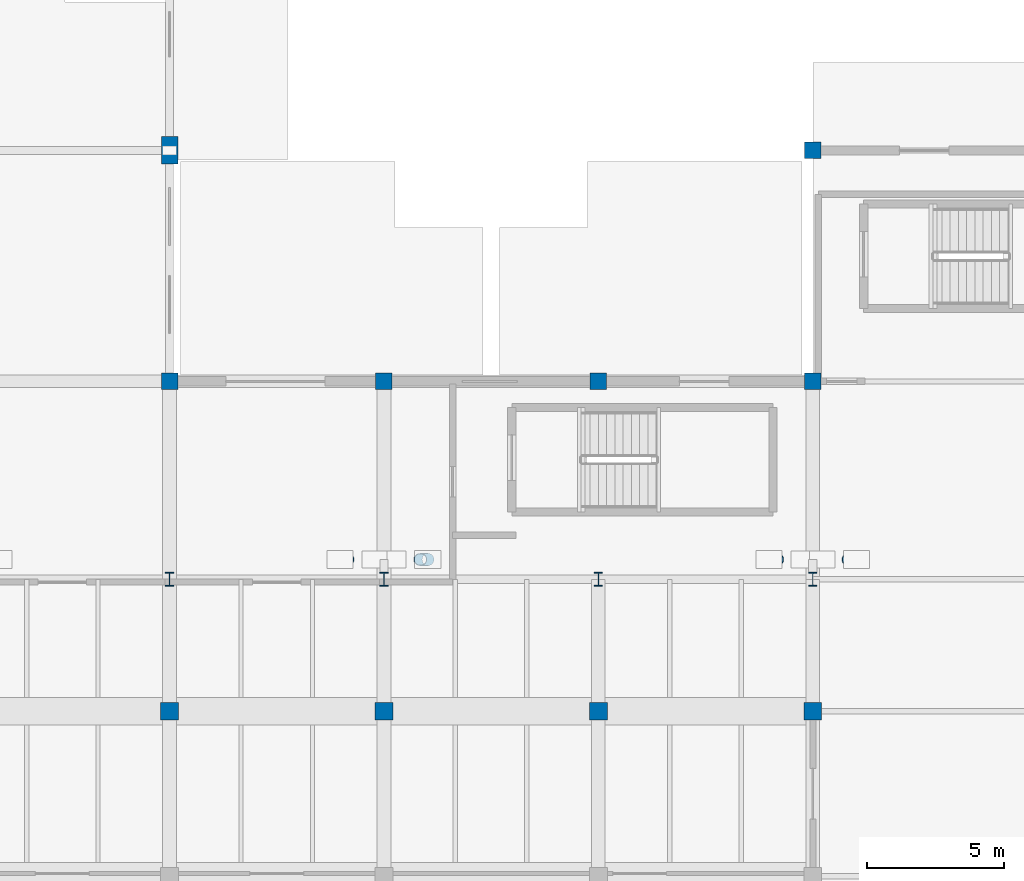
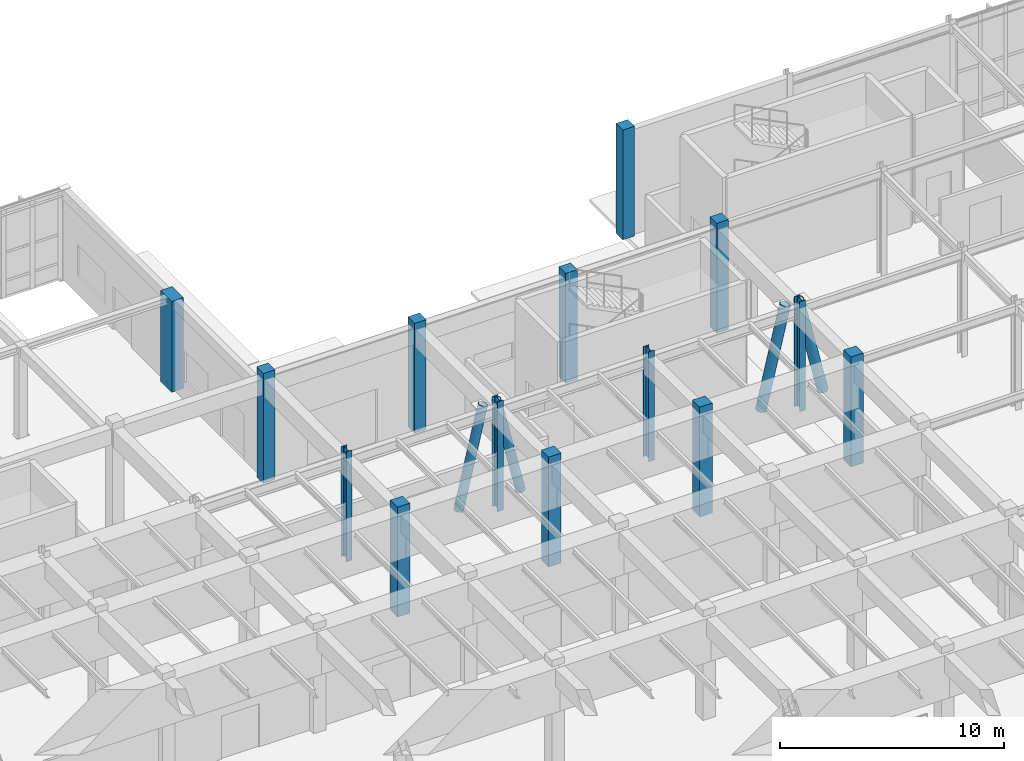
# One storey, part 9 of 110: 18 columns.
"""IFC4 building model written with IfcOpenShell, lengths in metres."""

from ifc_helpers import new_model, si_unit, direction, frame, origin, origin_2d, place, context, subcontext, project, spatial, rectangle, hollow_circle, i_section, extrude, material, material_profile, profile_set, type_object, element, save


model = new_model("IFC4")

# Units and contexts
model_context = context("Model", 3, precision=1e-05, world=origin(), true_north=direction((0.0, 1.0)))
body_context = subcontext(model_context, "Body", "Model", "MODEL_VIEW")
ifc_project = project(units=[si_unit("LENGTHUNIT", "METRE"), si_unit("AREAUNIT", "SQUARE_METRE"), si_unit("VOLUMEUNIT", "CUBIC_METRE"), si_unit("PLANEANGLEUNIT", "RADIAN"), si_unit("MASSUNIT", "GRAM", prefix="KILO")], contexts=[model_context])

# Site, building, storey
site_placement = place(None, origin())
site = spatial("IfcSite", under=ifc_project, at=site_placement, CompositionType="ELEMENT")
building_placement = place(site_placement, origin())
building = spatial("IfcBuilding", under=site, at=building_placement, Name="Tizgana Railside Sports Hall", CompositionType="ELEMENT")
storey_placement = place(building_placement, origin())
storey = spatial("IfcBuildingStorey", under=building, at=storey_placement, Name="L00", CompositionType="ELEMENT", Elevation=0.0)

# Columns
ifc_material_1 = material(Name="Concrete C40/50", Category="concrete")
ifc_material_profile_1 = material_profile(ifc_material_1, rectangle(XDim=0.60009765625, YDim=1.0, at=origin_2d()), Name="RC 600x1000")
ifc_profile_set_1 = profile_set([ifc_material_profile_1], Name="Concrete C40/50")
column_type_1 = type_object("IfcColumnType", Name="Concrete Column RC 600x1000", PredefinedType="COLUMN", material=ifc_profile_set_1)
column_placement = place(storey_placement, frame((31.199951171875, 88.800048828125, 0.0), z_axis=(0.0, 0.0, 1.0), x_axis=(1.0, 0.0, 0.0)))
element("IfcColumn", 1, at=column_placement, inside=storey, type_object=column_type_1, Name="L00 COL-0885", PredefinedType="COLUMN", context=body_context, shape_type="SweptSolid", body=[
    extrude(rectangle(XDim=0.60009765625, YDim=1.0, at=origin_2d()), origin(), (0.0, 0.0, 1.0), 4.9599609375),
])
ifc_material_profile_2 = material_profile(ifc_material_1, rectangle(XDim=0.60009765625, YDim=0.60009765625, at=origin_2d()), Name="RC 600x600")
ifc_profile_set_2 = profile_set([ifc_material_profile_2], Name="Concrete C40/50")
column_type_2 = type_object("IfcColumnType", Name="Concrete Column RC 600x600", PredefinedType="COLUMN", material=ifc_profile_set_2)
for number, where, z_axis, x_axis, name in (
    (2, (31.199951171875, 80.39990234375, 0.0), (0.0, 0.0, 1.0), (1.0, 0.0, 0.0), "L00 COL-0094"),
    (3, (39.0, 80.39990234375, 0.0), (0.0, 0.0, 1.0), (1.0, 0.0, 0.0), "L00 COL-0122"),
    (4, (46.800048828125, 80.39990234375, 0.0), (0.0, 0.0, 1.0), (1.0, 0.0, 0.0), "L00 COL-0142"),
    (5, (54.60009765625, 80.39990234375, 0.0), (0.0, 0.0, 1.0), (1.0, 0.0, 0.0), "L00 COL-0173"),
    (6, (54.60009765625, 88.800048828125, 0.0), (0.0, 0.0, 1.0), (1.0, 0.0, 0.0), "L00 COL-0188"),
):
    element("IfcColumn", number, at=place(storey_placement, frame(where, z_axis=z_axis, x_axis=x_axis)), inside=storey, type_object=column_type_2, Name=name, PredefinedType="COLUMN", context=body_context, shape_type="SweptSolid", body=[
        extrude(rectangle(XDim=0.60009765625, YDim=0.60009765625, at=origin_2d()), origin(), (0.0, 0.0, 1.0), 6.0),
    ])
ifc_material_profile_3 = material_profile(ifc_material_1, rectangle(XDim=0.64990234375, YDim=0.64990234375, at=origin_2d()), Name="RC 650x650")
ifc_profile_set_3 = profile_set([ifc_material_profile_3], Name="Concrete C40/50")
column_type_3 = type_object("IfcColumnType", Name="Concrete Column RC 650x650", PredefinedType="COLUMN", material=ifc_profile_set_3)
for number, where, z_axis, x_axis, name in (
    (7, (31.199951171875, 68.39990234375, 0.0), (0.0, 0.0, 1.0), (1.0, 0.0, 0.0), "L00 COL-0088"),
    (8, (39.0, 68.39990234375, 0.0), (0.0, 0.0, 1.0), (1.0, 0.0, 0.0), "L00 COL-0112"),
    (9, (46.800048828125, 68.39990234375, 0.0), (0.0, 0.0, 1.0), (1.0, 0.0, 0.0), "L00 COL-0136"),
    (10, (54.60009765625, 68.39990234375, 0.0), (0.0, 0.0, 1.0), (1.0, 0.0, 0.0), "L00 COL-0162"),
):
    element("IfcColumn", number, at=place(storey_placement, frame(where, z_axis=z_axis, x_axis=x_axis)), inside=storey, type_object=column_type_3, Name=name, PredefinedType="COLUMN", context=body_context, shape_type="SweptSolid", body=[
        extrude(rectangle(XDim=0.64990234375, YDim=0.64990234375, at=origin_2d()), origin(), (0.0, 0.0, 1.0), 6.0),
    ])
ifc_material_2 = material(Name="Steel S355J2", Category="steel")
ifc_material_profile_4 = material_profile(ifc_material_2, hollow_circle(Radius=0.228515625, WallThickness=0.02001953125, at=origin_2d()), Name="CHS 457x20")
ifc_profile_set_4 = profile_set([ifc_material_profile_4], Name="Steel S355J2")
column_type_4 = type_object("IfcColumnType", Name="Steel Column CHS 457x20", PredefinedType="COLUMN", material=ifc_profile_set_4)
for number, where, z_axis, x_axis, name in (
    (11, (37.405029296875, 73.919921875, 0.030029296875), (0.228365704217, 0.0, 0.973575423446), (0.0, 1.0, 0.0), "L00 V-Column COL-0115"),
    (12, (40.594970703125, 73.919921875, 0.030029296875), (-0.228365704217, 0.0, 0.973575423446), (0.0, -1.0, 0.0), "L00 V-Column COL-0117"),
):
    element("IfcColumn", number, at=place(storey_placement, frame(where, z_axis=z_axis, x_axis=x_axis)), inside=storey, type_object=column_type_4, Name=name, PredefinedType="COLUMN", context=body_context, shape_type="SweptSolid", body=[
        extrude(hollow_circle(Radius=0.228515625, WallThickness=0.02001953125, at=origin_2d()), origin(), (0.0, 0.0, 1.0), 5.4951171875),
    ])
ifc_material_profile_5 = material_profile(ifc_material_2, hollow_circle(Radius=0.25390625, WallThickness=0.02001953125, at=origin_2d()), Name="CHS 508x20")
ifc_profile_set_5 = profile_set([ifc_material_profile_5], Name="Steel S355J2")
column_type_5 = type_object("IfcColumnType", Name="Steel Column CHS 508x20", PredefinedType="COLUMN", material=ifc_profile_set_5)
for number, where, z_axis, x_axis, name in (
    (13, (53.0048828125, 73.919921875, 0.030029296875), (0.228407815683, 0.0, 0.973565544653), (0.0, 1.0, 0.0), "L00 V-Column COL-0166"),
    (14, (56.195068359375, 73.919921875, 0.030029296875), (-0.228407815683, 0.0, 0.973565544653), (0.0, -1.0, 0.0), "L00 V-Column COL-0168"),
):
    element("IfcColumn", number, at=place(storey_placement, frame(where, z_axis=z_axis, x_axis=x_axis)), inside=storey, type_object=column_type_5, Name=name, PredefinedType="COLUMN", context=body_context, shape_type="SweptSolid", body=[
        extrude(hollow_circle(Radius=0.25390625, WallThickness=0.02001953125, at=origin_2d()), origin(), (0.0, 0.0, 1.0), 5.4951171875),
    ])
ifc_material_profile_6 = material_profile(ifc_material_2, i_section(OverallWidth=0.300048828125, OverallDepth=0.5, WebThickness=0.014404296875, FlangeThickness=0.028076171875, FilletRadius=0.027099609375, at=origin_2d()), Name="HEB 500")
ifc_profile_set_6 = profile_set([ifc_material_profile_6], Name="Steel S355J2")
column_type_6 = type_object("IfcColumnType", Name="Steel Column HEB 500", PredefinedType="COLUMN", material=ifc_profile_set_6)
for number, where, z_axis, x_axis, name in (
    (15, (31.199951171875, 73.199951171875, 0.0), (0.0, 0.0, 1.0), (1.0, 0.0, 0.0), "L00 COL-0090"),
    (16, (39.0, 73.199951171875, 0.0), (0.0, 0.0, 1.0), (1.0, 0.0, 0.0), "L00 COL-0114"),
    (17, (46.800048828125, 73.199951171875, 0.0), (0.0, 0.0, 1.0), (1.0, 0.0, 0.0), "L00 COL-0138"),
    (18, (54.60009765625, 73.199951171875, 0.0), (0.0, 0.0, 1.0), (1.0, 0.0, 0.0), "L00 COL-0165"),
):
    element("IfcColumn", number, at=place(storey_placement, frame(where, z_axis=z_axis, x_axis=x_axis)), inside=storey, type_object=column_type_6, Name=name, PredefinedType="COLUMN", context=body_context, shape_type="SweptSolid", body=[
        extrude(i_section(OverallWidth=0.300048828125, OverallDepth=0.5, WebThickness=0.014404296875, FlangeThickness=0.028076171875, FilletRadius=0.027099609375, at=origin_2d()), origin(), (0.0, 0.0, 1.0), 6.0),
    ])

save(model, "model.ifc")
